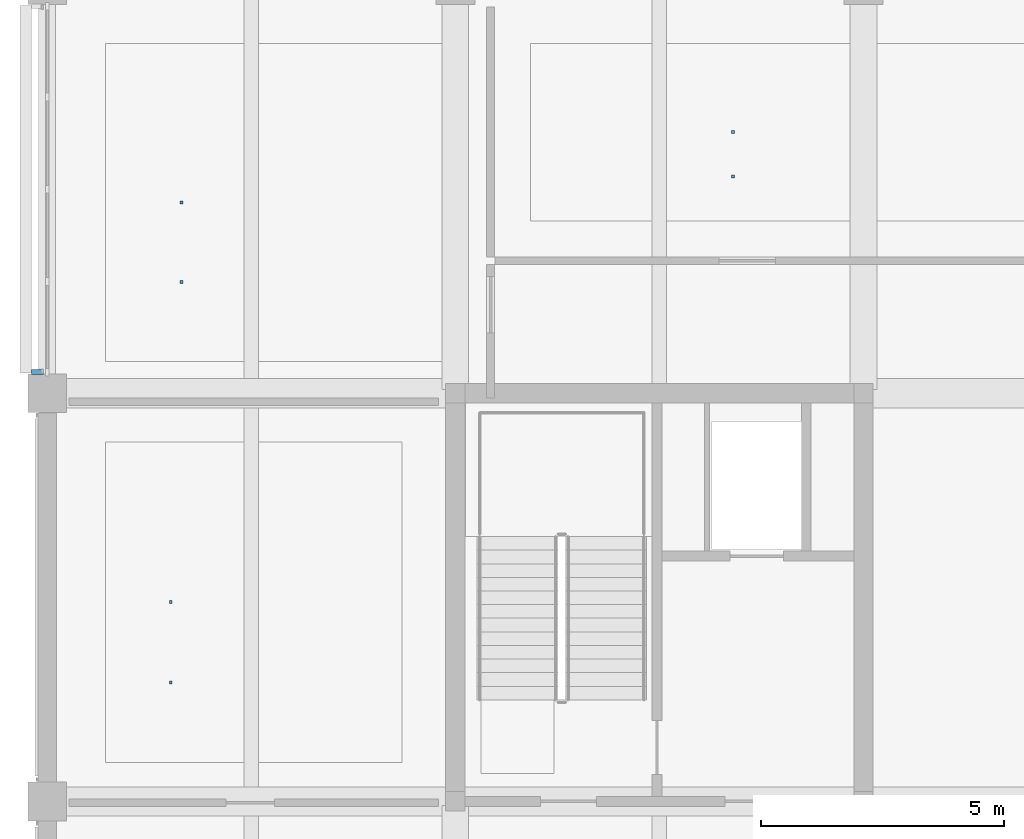
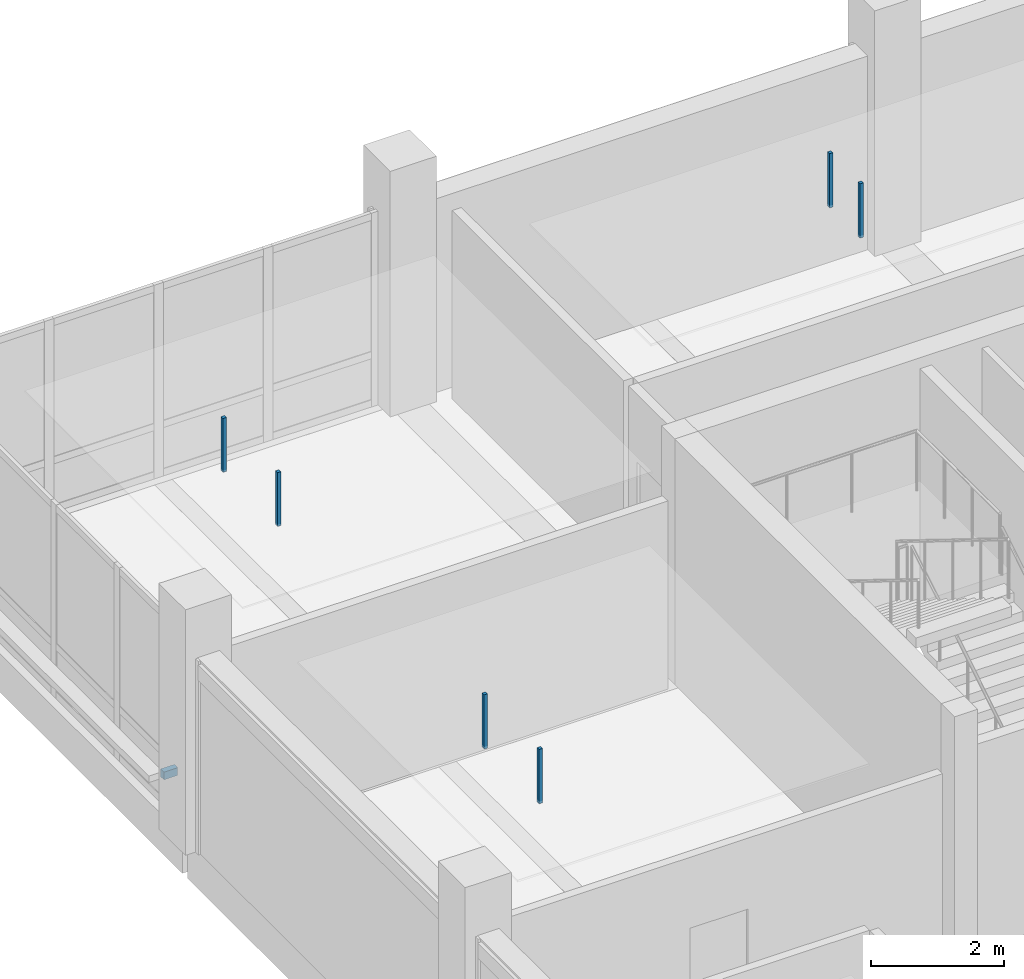
# One storey, part 16 of 35: 7 discrete accessories.
"""IFC4 building model written with IfcOpenShell, lengths in metres."""

from ifc_helpers import new_model, si_unit, direction, frame, origin, origin_2d, place, context, subcontext, project, spatial, rectangle, extrude, material, type_object, element, save


model = new_model("IFC4")

# Units and contexts
model_context = context("Model", 3, precision=1e-05, world=origin(), true_north=direction((0.0, 1.0)))
body_context = subcontext(model_context, "Body", "Model", "MODEL_VIEW")
ifc_project = project(units=[si_unit("LENGTHUNIT", "METRE"), si_unit("AREAUNIT", "SQUARE_METRE"), si_unit("VOLUMEUNIT", "CUBIC_METRE"), si_unit("PLANEANGLEUNIT", "RADIAN"), si_unit("MASSUNIT", "GRAM", prefix="KILO")], contexts=[model_context])

# Site, building, storey
site_placement = place(None, origin())
site = spatial("IfcSite", under=ifc_project, at=site_placement, CompositionType="ELEMENT")
building_placement = place(site_placement, origin())
building = spatial("IfcBuilding", under=site, at=building_placement, Name="Telukmera Botanical Conservatory", CompositionType="ELEMENT")
storey_placement = place(building_placement, frame((0.0, 0.0, 28.5)))
storey = spatial("IfcBuildingStorey", under=building, at=storey_placement, Name="L06", CompositionType="ELEMENT", Elevation=28.5)

# Discrete accessories
ifc_material = material(Name="Steel S355", Category="steel")
discrete_accessory_type_1 = type_object("IfcDiscreteAccessoryType", Name="ACC-CEIL-HGR", PredefinedType="BRACKET", material=ifc_material)
for number, where, z_axis, x_axis, name in (
    (1, (52.94189453125, 28.449951171875, 3.31005859375), (0.0, 0.0, 1.0), (1.0, 0.0, 0.0), "L06 Suspended Ceiling Hanger Rod 018-1"),
    (2, (52.94189453125, 30.10009765625, 3.31005859375), (0.0, 0.0, 1.0), (1.0, 0.0, 0.0), "L06 Suspended Ceiling Hanger Rod 018-2"),
):
    element("IfcDiscreteAccessory", number, at=place(storey_placement, frame(where, z_axis=z_axis, x_axis=x_axis)), inside=storey, type_object=discrete_accessory_type_1, Name=name, PredefinedType="BRACKET", context=body_context, shape_type="SweptSolid", body=[
        extrude(rectangle(XDim=0.06005859375, YDim=0.06005859375, at=origin_2d()), origin(), (0.0, 0.0, 1.0), 0.9951171875),
    ])
for number, where, z_axis, x_axis, name in (
    (3, (53.162109375, 36.6875, 3.31982421875), (0.0, 0.0, 1.0), (1.0, 0.0, 0.0), "L06 Suspended Ceiling Hanger Rod 035-1"),
    (4, (53.162109375, 38.324951171875, 3.31982421875), (0.0, 0.0, 1.0), (1.0, 0.0, 0.0), "L06 Suspended Ceiling Hanger Rod 035-2"),
):
    element("IfcDiscreteAccessory", number, at=place(storey_placement, frame(where, z_axis=z_axis, x_axis=x_axis)), inside=storey, type_object=discrete_accessory_type_1, Name=name, PredefinedType="BRACKET", context=body_context, shape_type="SweptSolid", body=[
        extrude(rectangle(XDim=0.06005859375, YDim=0.06005859375, at=origin_2d()), origin(), (0.0, 0.0, 1.0), 0.985107421875),
    ])
for number, where, z_axis, x_axis, name in (
    (5, (64.514892578125, 38.862548828125, 3.31005859375), (0.0, 0.0, 1.0), (1.0, 0.0, 0.0), "L06 Suspended Ceiling Hanger Rod 036-1"),
    (6, (64.514892578125, 39.77490234375, 3.31005859375), (0.0, 0.0, 1.0), (1.0, 0.0, 0.0), "L06 Suspended Ceiling Hanger Rod 036-2"),
):
    element("IfcDiscreteAccessory", number, at=place(storey_placement, frame(where, z_axis=z_axis, x_axis=x_axis)), inside=storey, type_object=discrete_accessory_type_1, Name=name, PredefinedType="BRACKET", context=body_context, shape_type="SweptSolid", body=[
        extrude(rectangle(XDim=0.06005859375, YDim=0.06005859375, at=origin_2d()), origin(), (0.0, 0.0, 1.0), 0.9951171875),
    ])
discrete_accessory_type_2 = type_object("IfcDiscreteAccessoryType", Name="Structural Steel Facade Outrigger Fin Bracket", PredefinedType="BRACKET", material=ifc_material)
discrete_accessory_placement = place(storey_placement, frame((50.199951171875, 34.83447265625, 0.8798828125), z_axis=(0.0, 0.0, 1.0), x_axis=(0.0, 1.0, 0.0)))
element("IfcDiscreteAccessory", 7, at=discrete_accessory_placement, inside=storey, type_object=discrete_accessory_type_2, Name="Facade Outrigger Bracket V4:L06:W4 A", PredefinedType="BRACKET", context=body_context, shape_type="SweptSolid", body=[
    extrude(rectangle(XDim=0.10009765625, YDim=0.239990234375, at=origin_2d()), origin(), (0.0, 0.0, 1.0), 0.139892578125),
])

save(model, "model.ifc")
